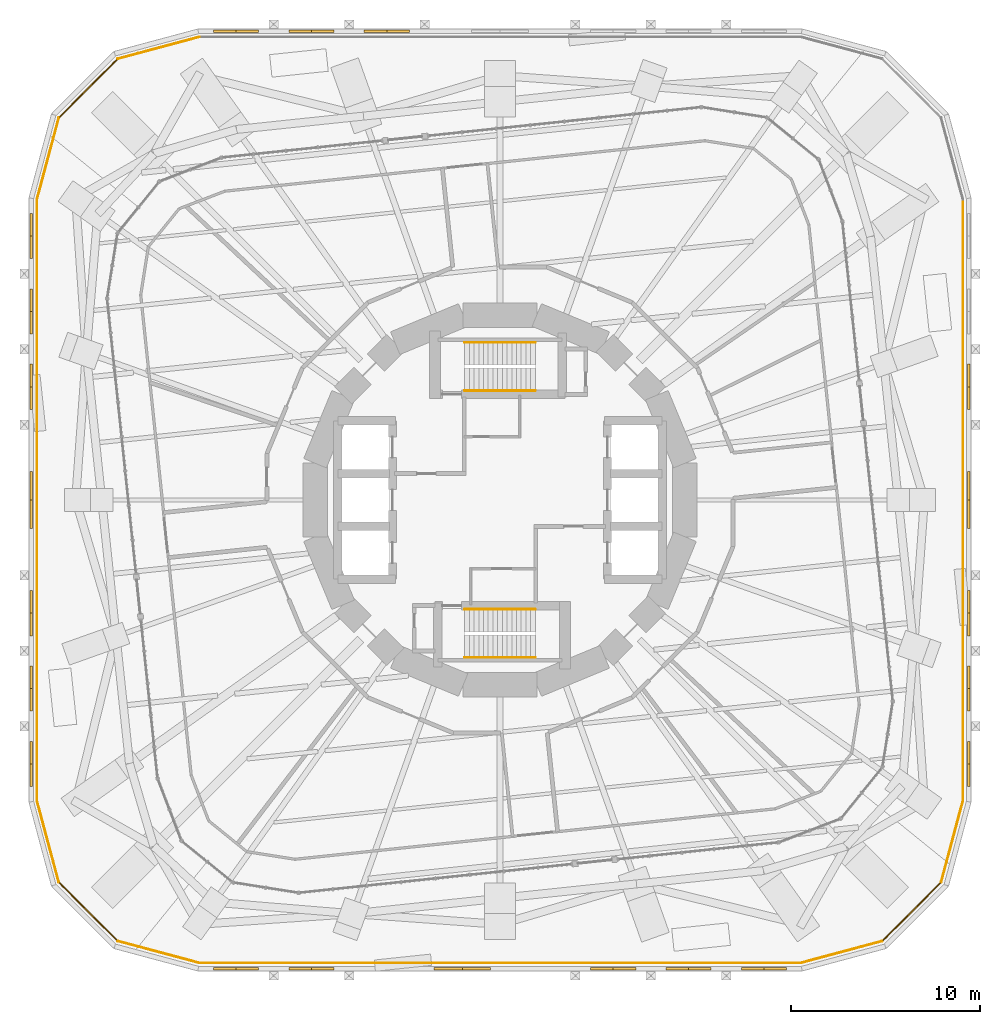
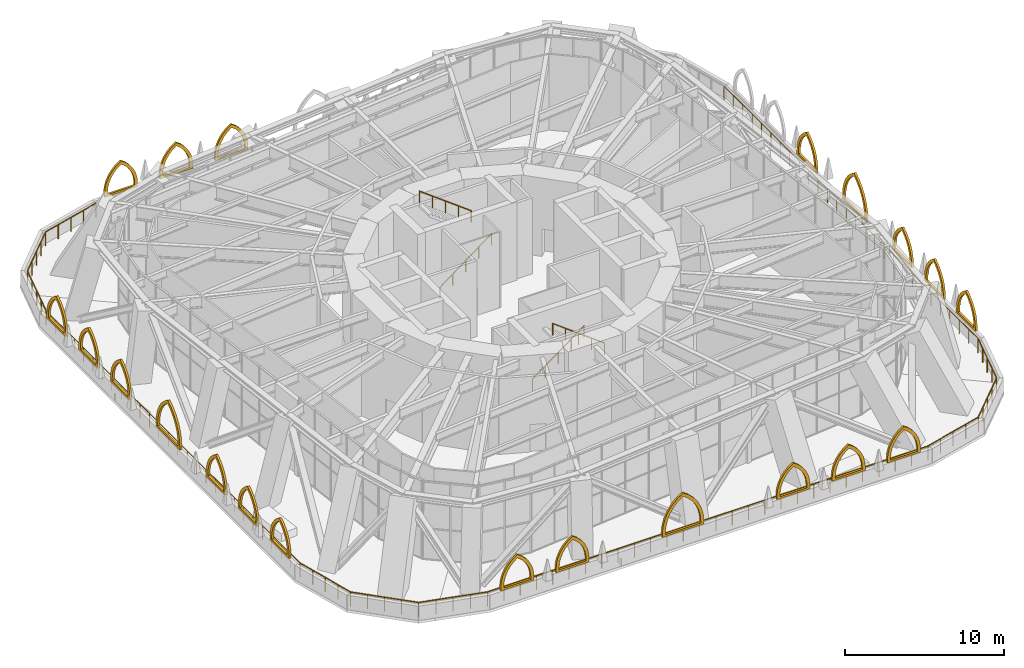
# One storey, part 18 of 20: 21 shading devices, 16 railings.
"""IFC4 building model written with IfcOpenShell, lengths in metres."""

from ifc_helpers import new_model, si_unit, direction, frame, origin, origin_2d, place, context, subcontext, project, spatial, polyline, circle, outline, extrude, material, type_object, element, save


model = new_model("IFC4")

# Units and contexts
model_context = context("Model", 3, precision=1e-05, world=origin(), true_north=direction((0.0, 1.0)))
body_context = subcontext(model_context, "Body", "Model", "MODEL_VIEW")
ifc_project = project(units=[si_unit("LENGTHUNIT", "METRE"), si_unit("AREAUNIT", "SQUARE_METRE"), si_unit("VOLUMEUNIT", "CUBIC_METRE"), si_unit("PLANEANGLEUNIT", "RADIAN"), si_unit("MASSUNIT", "GRAM", prefix="KILO")], contexts=[model_context])

# Site, building, storey
site_placement = place(None, origin())
site = spatial("IfcSite", under=ifc_project, at=site_placement, CompositionType="ELEMENT")
building_placement = place(site_placement, origin())
building = spatial("IfcBuilding", under=site, at=building_placement, Name="Nakasero Lantern House", CompositionType="ELEMENT")
storey_placement = place(building_placement, frame((0.0, 0.0, 54.5)))
storey = spatial("IfcBuildingStorey", under=building, at=storey_placement, Name="L13", CompositionType="ELEMENT", Elevation=54.5)

# Shading devices
ifc_material_1 = material(Name="Aluminium 6063-T6", Category="aluminium")
shading_device_type_1 = type_object("IfcShadingDeviceType", Name="Lancet screen 2400", PredefinedType="USERDEFINED", material=ifc_material_1)
for number, where, z_axis, x_axis, name in (
    (1, (24.85009765625, -14.0, 1.10009765625), (0.0, 0.0, 1.0), (0.0, 1.0, 0.0), "Tracery screen L13 0-00"),
    (2, (24.85009765625, -10.0, 1.10009765625), (0.0, 0.0, 1.0), (0.0, 1.0, 0.0), "Tracery screen L13 0-01"),
    (3, (24.85009765625, -6.0, 1.10009765625), (0.0, 0.0, 1.0), (0.0, 1.0, 0.0), "Tracery screen L13 0-02"),
    (4, (24.85009765625, 6.0, 1.10009765625), (0.0, 0.0, 1.0), (0.0, 1.0, 0.0), "Tracery screen L13 0-04"),
    (5, (-6.0, 24.85009765625, 1.10009765625), (0.0, 0.0, 1.0), (-1.0, 0.0, 0.0), "Tracery screen L13 1-04"),
    (6, (-10.0, 24.85009765625, 1.10009765625), (0.0, 0.0, 1.0), (-1.0, 0.0, 0.0), "Tracery screen L13 1-05"),
    (7, (-14.0, 24.85009765625, 1.10009765625), (0.0, 0.0, 1.0), (-1.0, 0.0, 0.0), "Tracery screen L13 1-06"),
    (8, (-24.85009765625, 14.0, 1.10009765625), (0.0, 0.0, 1.0), (0.0, -1.0, 0.0), "Tracery screen L13 2-00"),
    (9, (-24.85009765625, 10.0, 1.10009765625), (0.0, 0.0, 1.0), (0.0, -1.0, 0.0), "Tracery screen L13 2-01"),
    (10, (-24.85009765625, 6.0, 1.10009765625), (0.0, 0.0, 1.0), (0.0, -1.0, 0.0), "Tracery screen L13 2-02"),
    (11, (-24.85009765625, -6.0, 1.10009765625), (0.0, 0.0, 1.0), (0.0, -1.0, 0.0), "Tracery screen L13 2-04"),
    (12, (-24.85009765625, -10.0, 1.10009765625), (0.0, 0.0, 1.0), (0.0, -1.0, 0.0), "Tracery screen L13 2-05"),
    (13, (-24.85009765625, -14.0, 1.10009765625), (0.0, 0.0, 1.0), (0.0, -1.0, 0.0), "Tracery screen L13 2-06"),
    (14, (-14.0, -24.85009765625, 1.10009765625), (0.0, 0.0, 1.0), (1.0, 0.0, 0.0), "Tracery screen L13 3-00"),
    (15, (-10.0, -24.85009765625, 1.10009765625), (0.0, 0.0, 1.0), (1.0, 0.0, 0.0), "Tracery screen L13 3-01"),
    (16, (6.0, -24.85009765625, 1.10009765625), (0.0, 0.0, 1.0), (1.0, 0.0, 0.0), "Tracery screen L13 3-03"),
    (17, (10.0, -24.85009765625, 1.10009765625), (0.0, 0.0, 1.0), (1.0, 0.0, 0.0), "Tracery screen L13 3-04"),
    (18, (14.0, -24.85009765625, 1.10009765625), (0.0, 0.0, 1.0), (1.0, 0.0, 0.0), "Tracery screen L13 3-05"),
):
    element("IfcShadingDevice", number, at=place(storey_placement, frame(where, z_axis=z_axis, x_axis=x_axis)), inside=storey, type_object=shading_device_type_1, Name=name, ObjectType="LANCET SCREEN", PredefinedType="USERDEFINED", context=body_context, shape_type="SweptSolid", body=[
        extrude(outline(polyline([(-1.199951171875, 0.0), (1.199951171875, 0.0), (1.199951171875, 0.300048828125), (1.16357421875, 0.716796875), (1.05517578125, 1.120849609375), (0.87841796875, 1.5), (0.638427734375, 1.8427734375), (0.3427734375, 2.138427734375), (0.0, 2.37841796875), (-0.3427734375, 2.138427734375), (-0.638427734375, 1.8427734375), (-0.87841796875, 1.5), (-1.05517578125, 1.120849609375), (-1.16357421875, 0.716796875), (-1.199951171875, 0.300048828125), (-1.199951171875, 0.0)]), holes=[polyline([(-0.97998046875, 0.14990234375), (0.97998046875, 0.14990234375), (0.97998046875, 0.300048828125), (0.950439453125, 0.6572265625), (0.86279296875, 1.0048828125), (0.719482421875, 1.33349609375), (0.524169921875, 1.63427734375), (0.281982421875, 1.898681640625), (0.0, 2.1201171875), (-0.281982421875, 1.898681640625), (-0.524169921875, 1.63427734375), (-0.719482421875, 1.33349609375), (-0.86279296875, 1.0048828125), (-0.950439453125, 0.6572265625), (-0.97998046875, 0.300048828125), (-0.97998046875, 0.14990234375)])]), frame((0.0, 0.074951171875, 0.0), z_axis=(0.0, -1.0, 0.0), x_axis=(1.0, 0.0, 0.0)), (0.0, 0.0, 1.0), 0.14990234375),
    ])
ifc_material_2 = material(Name="Aluminium 6063-T6", Category="aluminium")
shading_device_type_2 = type_object("IfcShadingDeviceType", Name="Lancet screen 3000", PredefinedType="USERDEFINED", material=ifc_material_2)
for number, where, z_axis, x_axis, name in (
    (19, (24.85009765625, 0.0, 1.10009765625), (0.0, 0.0, 1.0), (0.0, 1.0, 0.0), "Tracery screen L13 0-03"),
    (20, (-24.85009765625, 0.0, 1.10009765625), (0.0, 0.0, 1.0), (0.0, -1.0, 0.0), "Tracery screen L13 2-03"),
    (21, (-2.0, -24.85009765625, 1.10009765625), (0.0, 0.0, 1.0), (1.0, 0.0, 0.0), "Tracery screen L13 3-02"),
):
    element("IfcShadingDevice", number, at=place(storey_placement, frame(where, z_axis=z_axis, x_axis=x_axis)), inside=storey, type_object=shading_device_type_2, Name=name, ObjectType="LANCET SCREEN", PredefinedType="USERDEFINED", context=body_context, shape_type="SweptSolid", body=[
        extrude(outline(polyline([(-1.5, 0.0), (1.5, 0.0), (1.5, 0.300048828125), (1.454345703125, 0.821044921875), (1.319091796875, 1.326171875), (1.09814453125, 1.800048828125), (0.798095703125, 2.228271484375), (0.428466796875, 2.59814453125), (0.0, 2.898193359375), (-0.428466796875, 2.59814453125), (-0.798095703125, 2.228271484375), (-1.09814453125, 1.800048828125), (-1.319091796875, 1.326171875), (-1.454345703125, 0.821044921875), (-1.5, 0.300048828125), (-1.5, 0.0)]), holes=[polyline([(-1.280029296875, 0.14990234375), (1.280029296875, 0.14990234375), (1.280029296875, 0.300048828125), (1.241455078125, 0.761474609375), (1.126708984375, 1.21044921875), (0.939208984375, 1.6337890625), (0.683837890625, 2.020263671875), (0.367919921875, 2.359130859375), (0.0, 2.640625), (-0.367919921875, 2.359130859375), (-0.683837890625, 2.020263671875), (-0.939208984375, 1.6337890625), (-1.126708984375, 1.21044921875), (-1.241455078125, 0.761474609375), (-1.280029296875, 0.300048828125), (-1.280029296875, 0.14990234375)])]), frame((0.0, 0.074951171875, 0.0), z_axis=(0.0, -1.0, 0.0), x_axis=(1.0, 0.0, 0.0)), (0.0, 0.0, 1.0), 0.14990234375),
    ])

# Railings
ifc_material_3 = material(Name="Aluminium 6063-T6", Category="aluminium")
railing_type_1 = type_object("IfcRailingType", Name="Sky garden guard 1100", PredefinedType="GUARDRAIL", material=ifc_material_3)
railing_1_placement = place(storey_placement, frame((-24.550048828125, -15.940673828125, 0.0)))
element("IfcRailing", 22, at=railing_1_placement, inside=storey, type_object=railing_type_1, Name="Sky garden guard L13 1", PredefinedType="GUARDRAIL", context=body_context, shape_type="SweptSolid", body=[
    extrude(circle(Radius=0.02392578125, at=origin_2d()), frame((0.0, 0.0, 1.076171875), z_axis=(0.0, 1.0, 0.0), x_axis=(-1.0, 0.0, 0.0)), (0.0, 0.0, 1.0), 31.88134765625),
    extrude(circle(Radius=0.02099609375, at=origin_2d()), origin(), (0.0, 0.0, 1.0), 1.052001953125),
    extrude(circle(Radius=0.02099609375, at=origin_2d()), frame((0.0, 1.180908203125, 0.0)), (0.0, 0.0, 1.0), 1.052001953125),
    extrude(circle(Radius=0.02099609375, at=origin_2d()), frame((0.0, 2.361572265625, 0.0)), (0.0, 0.0, 1.0), 1.052001953125),
    extrude(circle(Radius=0.02099609375, at=origin_2d()), frame((0.0, 3.54248046875, 0.0)), (0.0, 0.0, 1.0), 1.052001953125),
    extrude(circle(Radius=0.02099609375, at=origin_2d()), frame((0.0, 4.72314453125, 0.0)), (0.0, 0.0, 1.0), 1.052001953125),
    extrude(circle(Radius=0.02099609375, at=origin_2d()), frame((0.0, 5.904052734375, 0.0)), (0.0, 0.0, 1.0), 1.052001953125),
    extrude(circle(Radius=0.02099609375, at=origin_2d()), frame((0.0, 7.084716796875, 0.0)), (0.0, 0.0, 1.0), 1.052001953125),
    extrude(circle(Radius=0.02099609375, at=origin_2d()), frame((0.0, 8.265625, 0.0)), (0.0, 0.0, 1.0), 1.052001953125),
    extrude(circle(Radius=0.02099609375, at=origin_2d()), frame((0.0, 9.4462890625, 0.0)), (0.0, 0.0, 1.0), 1.052001953125),
    extrude(circle(Radius=0.02099609375, at=origin_2d()), frame((0.0, 10.627197265625, 0.0)), (0.0, 0.0, 1.0), 1.052001953125),
    extrude(circle(Radius=0.02099609375, at=origin_2d()), frame((0.0, 11.807861328125, 0.0)), (0.0, 0.0, 1.0), 1.052001953125),
    extrude(circle(Radius=0.02099609375, at=origin_2d()), frame((0.0, 12.98876953125, 0.0)), (0.0, 0.0, 1.0), 1.052001953125),
    extrude(circle(Radius=0.02099609375, at=origin_2d()), frame((0.0, 14.16943359375, 0.0)), (0.0, 0.0, 1.0), 1.052001953125),
    extrude(circle(Radius=0.02099609375, at=origin_2d()), frame((0.0, 15.350341796875, 0.0)), (0.0, 0.0, 1.0), 1.052001953125),
    extrude(circle(Radius=0.02099609375, at=origin_2d()), frame((0.0, 16.531005859375, 0.0)), (0.0, 0.0, 1.0), 1.052001953125),
    extrude(circle(Radius=0.02099609375, at=origin_2d()), frame((0.0, 17.7119140625, 0.0)), (0.0, 0.0, 1.0), 1.052001953125),
    extrude(circle(Radius=0.02099609375, at=origin_2d()), frame((0.0, 18.892578125, 0.0)), (0.0, 0.0, 1.0), 1.052001953125),
    extrude(circle(Radius=0.02099609375, at=origin_2d()), frame((0.0, 20.073486328125, 0.0)), (0.0, 0.0, 1.0), 1.052001953125),
    extrude(circle(Radius=0.02099609375, at=origin_2d()), frame((0.0, 21.254150390625, 0.0)), (0.0, 0.0, 1.0), 1.052001953125),
    extrude(circle(Radius=0.02099609375, at=origin_2d()), frame((0.0, 22.43505859375, 0.0)), (0.0, 0.0, 1.0), 1.052001953125),
    extrude(circle(Radius=0.02099609375, at=origin_2d()), frame((0.0, 23.61572265625, 0.0)), (0.0, 0.0, 1.0), 1.052001953125),
    extrude(circle(Radius=0.02099609375, at=origin_2d()), frame((0.0, 24.796630859375, 0.0)), (0.0, 0.0, 1.0), 1.052001953125),
    extrude(circle(Radius=0.02099609375, at=origin_2d()), frame((0.0, 25.977294921875, 0.0)), (0.0, 0.0, 1.0), 1.052001953125),
    extrude(circle(Radius=0.02099609375, at=origin_2d()), frame((0.0, 27.158203125, 0.0)), (0.0, 0.0, 1.0), 1.052001953125),
    extrude(circle(Radius=0.02099609375, at=origin_2d()), frame((0.0, 28.3388671875, 0.0)), (0.0, 0.0, 1.0), 1.052001953125),
    extrude(circle(Radius=0.02099609375, at=origin_2d()), frame((0.0, 29.519775390625, 0.0)), (0.0, 0.0, 1.0), 1.052001953125),
    extrude(circle(Radius=0.02099609375, at=origin_2d()), frame((0.0, 30.700439453125, 0.0)), (0.0, 0.0, 1.0), 1.052001953125),
    extrude(circle(Radius=0.02099609375, at=origin_2d()), frame((0.0, 31.88134765625, 0.0)), (0.0, 0.0, 1.0), 1.052001953125),
])
railing_2_placement = place(storey_placement, frame((-24.550048828125, 15.940673828125, 0.0)))
element("IfcRailing", 23, at=railing_2_placement, inside=storey, type_object=railing_type_1, Name="Sky garden guard L13 2", PredefinedType="GUARDRAIL", context=body_context, shape_type="SweptSolid", body=[
    extrude(circle(Radius=0.02392578125, at=origin_2d()), frame((0.0, 0.0, 1.076171875), z_axis=(0.258802382539, 0.965930290855, 0.0), x_axis=(-0.965930290855, 0.258802382539, 0.0)), (0.0, 0.0, 1.0), 4.47900390625),
    extrude(circle(Radius=0.02099609375, at=origin_2d()), origin(), (0.0, 0.0, 1.0), 1.052001953125),
    extrude(circle(Radius=0.02099609375, at=origin_2d()), frame((0.289794921875, 1.08154296875, 0.0)), (0.0, 0.0, 1.0), 1.052001953125),
    extrude(circle(Radius=0.02099609375, at=origin_2d()), frame((0.57958984375, 2.1630859375, 0.0)), (0.0, 0.0, 1.0), 1.052001953125),
    extrude(circle(Radius=0.02099609375, at=origin_2d()), frame((0.869384765625, 3.244873046875, 0.0)), (0.0, 0.0, 1.0), 1.052001953125),
    extrude(circle(Radius=0.02099609375, at=origin_2d()), frame((1.1591796875, 4.326416015625, 0.0)), (0.0, 0.0, 1.0), 1.052001953125),
])
railing_3_placement = place(storey_placement, frame((-23.390869140625, -20.26708984375, 0.0)))
element("IfcRailing", 24, at=railing_3_placement, inside=storey, type_object=railing_type_1, Name="Sky garden guard L13 3", PredefinedType="GUARDRAIL", context=body_context, shape_type="SweptSolid", body=[
    extrude(circle(Radius=0.02392578125, at=origin_2d()), frame((0.0, 0.0, 1.076171875), z_axis=(-0.258802382539, 0.965930290855, 0.0), x_axis=(-0.965930290855, -0.258802382539, 0.0)), (0.0, 0.0, 1.0), 4.47900390625),
    extrude(circle(Radius=0.02099609375, at=origin_2d()), origin(), (0.0, 0.0, 1.0), 1.052001953125),
    extrude(circle(Radius=0.02099609375, at=origin_2d()), frame((-0.289794921875, 1.08154296875, 0.0)), (0.0, 0.0, 1.0), 1.052001953125),
    extrude(circle(Radius=0.02099609375, at=origin_2d()), frame((-0.57958984375, 2.1630859375, 0.0)), (0.0, 0.0, 1.0), 1.052001953125),
    extrude(circle(Radius=0.02099609375, at=origin_2d()), frame((-0.869384765625, 3.244873046875, 0.0)), (0.0, 0.0, 1.0), 1.052001953125),
    extrude(circle(Radius=0.02099609375, at=origin_2d()), frame((-1.1591796875, 4.326416015625, 0.0)), (0.0, 0.0, 1.0), 1.052001953125),
])
railing_4_placement = place(storey_placement, frame((-23.390869140625, 20.26708984375, 0.0)))
element("IfcRailing", 25, at=railing_4_placement, inside=storey, type_object=railing_type_1, Name="Sky garden guard L13 4", PredefinedType="GUARDRAIL", context=body_context, shape_type="SweptSolid", body=[
    extrude(circle(Radius=0.02392578125, at=origin_2d()), frame((0.0, 0.0, 1.076171875), z_axis=(0.707106781187, 0.707106781187, 0.0), x_axis=(-0.707106781187, 0.707106781187, 0.0)), (0.0, 0.0, 1.0), 4.417724609375),
    extrude(circle(Radius=0.02099609375, at=origin_2d()), origin(), (0.0, 0.0, 1.0), 1.052001953125),
    extrude(circle(Radius=0.02099609375, at=origin_2d()), frame((0.781005859375, 0.781005859375, 0.0)), (0.0, 0.0, 1.0), 1.052001953125),
    extrude(circle(Radius=0.02099609375, at=origin_2d()), frame((1.56201171875, 1.56201171875, 0.0)), (0.0, 0.0, 1.0), 1.052001953125),
    extrude(circle(Radius=0.02099609375, at=origin_2d()), frame((2.3427734375, 2.3427734375, 0.0)), (0.0, 0.0, 1.0), 1.052001953125),
    extrude(circle(Radius=0.02099609375, at=origin_2d()), frame((3.123779296875, 3.123779296875, 0.0)), (0.0, 0.0, 1.0), 1.052001953125),
])
railing_5_placement = place(storey_placement, frame((-20.26708984375, -23.390869140625, 0.0)))
element("IfcRailing", 26, at=railing_5_placement, inside=storey, type_object=railing_type_1, Name="Sky garden guard L13 5", PredefinedType="GUARDRAIL", context=body_context, shape_type="SweptSolid", body=[
    extrude(circle(Radius=0.02392578125, at=origin_2d()), frame((0.0, 0.0, 1.076171875), z_axis=(-0.707106781187, 0.707106781187, 0.0), x_axis=(-0.707106781187, -0.707106781187, 0.0)), (0.0, 0.0, 1.0), 4.417724609375),
    extrude(circle(Radius=0.02099609375, at=origin_2d()), origin(), (0.0, 0.0, 1.0), 1.052001953125),
    extrude(circle(Radius=0.02099609375, at=origin_2d()), frame((-0.781005859375, 0.781005859375, 0.0)), (0.0, 0.0, 1.0), 1.052001953125),
    extrude(circle(Radius=0.02099609375, at=origin_2d()), frame((-1.56201171875, 1.56201171875, 0.0)), (0.0, 0.0, 1.0), 1.052001953125),
    extrude(circle(Radius=0.02099609375, at=origin_2d()), frame((-2.3427734375, 2.3427734375, 0.0)), (0.0, 0.0, 1.0), 1.052001953125),
    extrude(circle(Radius=0.02099609375, at=origin_2d()), frame((-3.123779296875, 3.123779296875, 0.0)), (0.0, 0.0, 1.0), 1.052001953125),
])
railing_6_placement = place(storey_placement, frame((-20.26708984375, 23.390869140625, 0.0)))
element("IfcRailing", 27, at=railing_6_placement, inside=storey, type_object=railing_type_1, Name="Sky garden guard L13 6", PredefinedType="GUARDRAIL", context=body_context, shape_type="SweptSolid", body=[
    extrude(circle(Radius=0.02392578125, at=origin_2d()), frame((0.0, 0.0, 1.076171875), z_axis=(0.965930290855, 0.258802382539, 0.0), x_axis=(-0.258802382539, 0.965930290855, 0.0)), (0.0, 0.0, 1.0), 4.47900390625),
    extrude(circle(Radius=0.02099609375, at=origin_2d()), origin(), (0.0, 0.0, 1.0), 1.052001953125),
    extrude(circle(Radius=0.02099609375, at=origin_2d()), frame((1.08154296875, 0.289794921875, 0.0)), (0.0, 0.0, 1.0), 1.052001953125),
    extrude(circle(Radius=0.02099609375, at=origin_2d()), frame((2.1630859375, 0.57958984375, 0.0)), (0.0, 0.0, 1.0), 1.052001953125),
    extrude(circle(Radius=0.02099609375, at=origin_2d()), frame((3.244873046875, 0.869384765625, 0.0)), (0.0, 0.0, 1.0), 1.052001953125),
    extrude(circle(Radius=0.02099609375, at=origin_2d()), frame((4.326416015625, 1.1591796875, 0.0)), (0.0, 0.0, 1.0), 1.052001953125),
])
railing_7_placement = place(storey_placement, frame((-15.940673828125, -24.550048828125, 0.0)))
element("IfcRailing", 28, at=railing_7_placement, inside=storey, type_object=railing_type_1, Name="Sky garden guard L13 7", PredefinedType="GUARDRAIL", context=body_context, shape_type="SweptSolid", body=[
    extrude(circle(Radius=0.02392578125, at=origin_2d()), frame((0.0, 0.0, 1.076171875), z_axis=(-0.965930290855, 0.258802382539, 0.0), x_axis=(-0.258802382539, -0.965930290855, 0.0)), (0.0, 0.0, 1.0), 4.47900390625),
    extrude(circle(Radius=0.02099609375, at=origin_2d()), origin(), (0.0, 0.0, 1.0), 1.052001953125),
    extrude(circle(Radius=0.02099609375, at=origin_2d()), frame((-1.08154296875, 0.289794921875, 0.0)), (0.0, 0.0, 1.0), 1.052001953125),
    extrude(circle(Radius=0.02099609375, at=origin_2d()), frame((-2.1630859375, 0.57958984375, 0.0)), (0.0, 0.0, 1.0), 1.052001953125),
    extrude(circle(Radius=0.02099609375, at=origin_2d()), frame((-3.244873046875, 0.869384765625, 0.0)), (0.0, 0.0, 1.0), 1.052001953125),
    extrude(circle(Radius=0.02099609375, at=origin_2d()), frame((-4.326416015625, 1.1591796875, 0.0)), (0.0, 0.0, 1.0), 1.052001953125),
])
railing_8_placement = place(storey_placement, frame((15.940673828125, -24.550048828125, 0.0)))
element("IfcRailing", 29, at=railing_8_placement, inside=storey, type_object=railing_type_1, Name="Sky garden guard L13 9", PredefinedType="GUARDRAIL", context=body_context, shape_type="SweptSolid", body=[
    extrude(circle(Radius=0.02392578125, at=origin_2d()), frame((0.0, 0.0, 1.076171875), z_axis=(-1.0, 0.0, 0.0), x_axis=(0.0, -1.0, 0.0)), (0.0, 0.0, 1.0), 31.88134765625),
    extrude(circle(Radius=0.02099609375, at=origin_2d()), origin(), (0.0, 0.0, 1.0), 1.052001953125),
    extrude(circle(Radius=0.02099609375, at=origin_2d()), frame((-1.180908203125, 0.0, 0.0)), (0.0, 0.0, 1.0), 1.052001953125),
    extrude(circle(Radius=0.02099609375, at=origin_2d()), frame((-2.361572265625, 0.0, 0.0)), (0.0, 0.0, 1.0), 1.052001953125),
    extrude(circle(Radius=0.02099609375, at=origin_2d()), frame((-3.54248046875, 0.0, 0.0)), (0.0, 0.0, 1.0), 1.052001953125),
    extrude(circle(Radius=0.02099609375, at=origin_2d()), frame((-4.72314453125, 0.0, 0.0)), (0.0, 0.0, 1.0), 1.052001953125),
    extrude(circle(Radius=0.02099609375, at=origin_2d()), frame((-5.904052734375, 0.0, 0.0)), (0.0, 0.0, 1.0), 1.052001953125),
    extrude(circle(Radius=0.02099609375, at=origin_2d()), frame((-7.084716796875, 0.0, 0.0)), (0.0, 0.0, 1.0), 1.052001953125),
    extrude(circle(Radius=0.02099609375, at=origin_2d()), frame((-8.265625, 0.0, 0.0)), (0.0, 0.0, 1.0), 1.052001953125),
    extrude(circle(Radius=0.02099609375, at=origin_2d()), frame((-9.4462890625, 0.0, 0.0)), (0.0, 0.0, 1.0), 1.052001953125),
    extrude(circle(Radius=0.02099609375, at=origin_2d()), frame((-10.627197265625, 0.0, 0.0)), (0.0, 0.0, 1.0), 1.052001953125),
    extrude(circle(Radius=0.02099609375, at=origin_2d()), frame((-11.807861328125, 0.0, 0.0)), (0.0, 0.0, 1.0), 1.052001953125),
    extrude(circle(Radius=0.02099609375, at=origin_2d()), frame((-12.98876953125, 0.0, 0.0)), (0.0, 0.0, 1.0), 1.052001953125),
    extrude(circle(Radius=0.02099609375, at=origin_2d()), frame((-14.16943359375, 0.0, 0.0)), (0.0, 0.0, 1.0), 1.052001953125),
    extrude(circle(Radius=0.02099609375, at=origin_2d()), frame((-15.350341796875, 0.0, 0.0)), (0.0, 0.0, 1.0), 1.052001953125),
    extrude(circle(Radius=0.02099609375, at=origin_2d()), frame((-16.531005859375, 0.0, 0.0)), (0.0, 0.0, 1.0), 1.052001953125),
    extrude(circle(Radius=0.02099609375, at=origin_2d()), frame((-17.7119140625, 0.0, 0.0)), (0.0, 0.0, 1.0), 1.052001953125),
    extrude(circle(Radius=0.02099609375, at=origin_2d()), frame((-18.892578125, 0.0, 0.0)), (0.0, 0.0, 1.0), 1.052001953125),
    extrude(circle(Radius=0.02099609375, at=origin_2d()), frame((-20.073486328125, 0.0, 0.0)), (0.0, 0.0, 1.0), 1.052001953125),
    extrude(circle(Radius=0.02099609375, at=origin_2d()), frame((-21.254150390625, 0.0, 0.0)), (0.0, 0.0, 1.0), 1.052001953125),
    extrude(circle(Radius=0.02099609375, at=origin_2d()), frame((-22.43505859375, 0.0, 0.0)), (0.0, 0.0, 1.0), 1.052001953125),
    extrude(circle(Radius=0.02099609375, at=origin_2d()), frame((-23.61572265625, 0.0, 0.0)), (0.0, 0.0, 1.0), 1.052001953125),
    extrude(circle(Radius=0.02099609375, at=origin_2d()), frame((-24.796630859375, 0.0, 0.0)), (0.0, 0.0, 1.0), 1.052001953125),
    extrude(circle(Radius=0.02099609375, at=origin_2d()), frame((-25.977294921875, 0.0, 0.0)), (0.0, 0.0, 1.0), 1.052001953125),
    extrude(circle(Radius=0.02099609375, at=origin_2d()), frame((-27.158203125, 0.0, 0.0)), (0.0, 0.0, 1.0), 1.052001953125),
    extrude(circle(Radius=0.02099609375, at=origin_2d()), frame((-28.3388671875, 0.0, 0.0)), (0.0, 0.0, 1.0), 1.052001953125),
    extrude(circle(Radius=0.02099609375, at=origin_2d()), frame((-29.519775390625, 0.0, 0.0)), (0.0, 0.0, 1.0), 1.052001953125),
    extrude(circle(Radius=0.02099609375, at=origin_2d()), frame((-30.700439453125, 0.0, 0.0)), (0.0, 0.0, 1.0), 1.052001953125),
    extrude(circle(Radius=0.02099609375, at=origin_2d()), frame((-31.88134765625, 0.0, 0.0)), (0.0, 0.0, 1.0), 1.052001953125),
])
railing_9_placement = place(storey_placement, frame((20.26708984375, -23.390869140625, 0.0)))
element("IfcRailing", 30, at=railing_9_placement, inside=storey, type_object=railing_type_1, Name="Sky garden guard L13 11", PredefinedType="GUARDRAIL", context=body_context, shape_type="SweptSolid", body=[
    extrude(circle(Radius=0.02392578125, at=origin_2d()), frame((0.0, 0.0, 1.076171875), z_axis=(-0.965930290855, -0.258802382539, 0.0), x_axis=(0.258802382539, -0.965930290855, 0.0)), (0.0, 0.0, 1.0), 4.47900390625),
    extrude(circle(Radius=0.02099609375, at=origin_2d()), origin(), (0.0, 0.0, 1.0), 1.052001953125),
    extrude(circle(Radius=0.02099609375, at=origin_2d()), frame((-1.08154296875, -0.289794921875, 0.0)), (0.0, 0.0, 1.0), 1.052001953125),
    extrude(circle(Radius=0.02099609375, at=origin_2d()), frame((-2.1630859375, -0.57958984375, 0.0)), (0.0, 0.0, 1.0), 1.052001953125),
    extrude(circle(Radius=0.02099609375, at=origin_2d()), frame((-3.244873046875, -0.869384765625, 0.0)), (0.0, 0.0, 1.0), 1.052001953125),
    extrude(circle(Radius=0.02099609375, at=origin_2d()), frame((-4.326416015625, -1.1591796875, 0.0)), (0.0, 0.0, 1.0), 1.052001953125),
])
railing_10_placement = place(storey_placement, frame((23.390869140625, -20.26708984375, 0.0)))
element("IfcRailing", 31, at=railing_10_placement, inside=storey, type_object=railing_type_1, Name="Sky garden guard L13 13", PredefinedType="GUARDRAIL", context=body_context, shape_type="SweptSolid", body=[
    extrude(circle(Radius=0.02392578125, at=origin_2d()), frame((0.0, 0.0, 1.076171875), z_axis=(-0.707106781187, -0.707106781187, 0.0), x_axis=(0.707106781187, -0.707106781187, 0.0)), (0.0, 0.0, 1.0), 4.417724609375),
    extrude(circle(Radius=0.02099609375, at=origin_2d()), origin(), (0.0, 0.0, 1.0), 1.052001953125),
    extrude(circle(Radius=0.02099609375, at=origin_2d()), frame((-0.781005859375, -0.781005859375, 0.0)), (0.0, 0.0, 1.0), 1.052001953125),
    extrude(circle(Radius=0.02099609375, at=origin_2d()), frame((-1.56201171875, -1.56201171875, 0.0)), (0.0, 0.0, 1.0), 1.052001953125),
    extrude(circle(Radius=0.02099609375, at=origin_2d()), frame((-2.3427734375, -2.3427734375, 0.0)), (0.0, 0.0, 1.0), 1.052001953125),
    extrude(circle(Radius=0.02099609375, at=origin_2d()), frame((-3.123779296875, -3.123779296875, 0.0)), (0.0, 0.0, 1.0), 1.052001953125),
])
railing_11_placement = place(storey_placement, frame((24.550048828125, -15.940673828125, 0.0)))
element("IfcRailing", 32, at=railing_11_placement, inside=storey, type_object=railing_type_1, Name="Sky garden guard L13 15", PredefinedType="GUARDRAIL", context=body_context, shape_type="SweptSolid", body=[
    extrude(circle(Radius=0.02392578125, at=origin_2d()), frame((0.0, 0.0, 1.076171875), z_axis=(-0.258802382539, -0.965930290855, 0.0), x_axis=(0.965930290855, -0.258802382539, 0.0)), (0.0, 0.0, 1.0), 4.47900390625),
    extrude(circle(Radius=0.02099609375, at=origin_2d()), origin(), (0.0, 0.0, 1.0), 1.052001953125),
    extrude(circle(Radius=0.02099609375, at=origin_2d()), frame((-0.289794921875, -1.08154296875, 0.0)), (0.0, 0.0, 1.0), 1.052001953125),
    extrude(circle(Radius=0.02099609375, at=origin_2d()), frame((-0.57958984375, -2.1630859375, 0.0)), (0.0, 0.0, 1.0), 1.052001953125),
    extrude(circle(Radius=0.02099609375, at=origin_2d()), frame((-0.869384765625, -3.244873046875, 0.0)), (0.0, 0.0, 1.0), 1.052001953125),
    extrude(circle(Radius=0.02099609375, at=origin_2d()), frame((-1.1591796875, -4.326416015625, 0.0)), (0.0, 0.0, 1.0), 1.052001953125),
])
railing_12_placement = place(storey_placement, frame((24.550048828125, 15.940673828125, 0.0)))
element("IfcRailing", 33, at=railing_12_placement, inside=storey, type_object=railing_type_1, Name="Sky garden guard L13 16", PredefinedType="GUARDRAIL", context=body_context, shape_type="SweptSolid", body=[
    extrude(circle(Radius=0.02392578125, at=origin_2d()), frame((0.0, 0.0, 1.076171875), z_axis=(0.0, -1.0, 0.0), x_axis=(1.0, 0.0, 0.0)), (0.0, 0.0, 1.0), 31.88134765625),
    extrude(circle(Radius=0.02099609375, at=origin_2d()), origin(), (0.0, 0.0, 1.0), 1.052001953125),
    extrude(circle(Radius=0.02099609375, at=origin_2d()), frame((0.0, -1.180908203125, 0.0)), (0.0, 0.0, 1.0), 1.052001953125),
    extrude(circle(Radius=0.02099609375, at=origin_2d()), frame((0.0, -2.361572265625, 0.0)), (0.0, 0.0, 1.0), 1.052001953125),
    extrude(circle(Radius=0.02099609375, at=origin_2d()), frame((0.0, -3.54248046875, 0.0)), (0.0, 0.0, 1.0), 1.052001953125),
    extrude(circle(Radius=0.02099609375, at=origin_2d()), frame((0.0, -4.72314453125, 0.0)), (0.0, 0.0, 1.0), 1.052001953125),
    extrude(circle(Radius=0.02099609375, at=origin_2d()), frame((0.0, -5.904052734375, 0.0)), (0.0, 0.0, 1.0), 1.052001953125),
    extrude(circle(Radius=0.02099609375, at=origin_2d()), frame((0.0, -7.084716796875, 0.0)), (0.0, 0.0, 1.0), 1.052001953125),
    extrude(circle(Radius=0.02099609375, at=origin_2d()), frame((0.0, -8.265625, 0.0)), (0.0, 0.0, 1.0), 1.052001953125),
    extrude(circle(Radius=0.02099609375, at=origin_2d()), frame((0.0, -9.4462890625, 0.0)), (0.0, 0.0, 1.0), 1.052001953125),
    extrude(circle(Radius=0.02099609375, at=origin_2d()), frame((0.0, -10.627197265625, 0.0)), (0.0, 0.0, 1.0), 1.052001953125),
    extrude(circle(Radius=0.02099609375, at=origin_2d()), frame((0.0, -11.807861328125, 0.0)), (0.0, 0.0, 1.0), 1.052001953125),
    extrude(circle(Radius=0.02099609375, at=origin_2d()), frame((0.0, -12.98876953125, 0.0)), (0.0, 0.0, 1.0), 1.052001953125),
    extrude(circle(Radius=0.02099609375, at=origin_2d()), frame((0.0, -14.16943359375, 0.0)), (0.0, 0.0, 1.0), 1.052001953125),
    extrude(circle(Radius=0.02099609375, at=origin_2d()), frame((0.0, -15.350341796875, 0.0)), (0.0, 0.0, 1.0), 1.052001953125),
    extrude(circle(Radius=0.02099609375, at=origin_2d()), frame((0.0, -16.531005859375, 0.0)), (0.0, 0.0, 1.0), 1.052001953125),
    extrude(circle(Radius=0.02099609375, at=origin_2d()), frame((0.0, -17.7119140625, 0.0)), (0.0, 0.0, 1.0), 1.052001953125),
    extrude(circle(Radius=0.02099609375, at=origin_2d()), frame((0.0, -18.892578125, 0.0)), (0.0, 0.0, 1.0), 1.052001953125),
    extrude(circle(Radius=0.02099609375, at=origin_2d()), frame((0.0, -20.073486328125, 0.0)), (0.0, 0.0, 1.0), 1.052001953125),
    extrude(circle(Radius=0.02099609375, at=origin_2d()), frame((0.0, -21.254150390625, 0.0)), (0.0, 0.0, 1.0), 1.052001953125),
    extrude(circle(Radius=0.02099609375, at=origin_2d()), frame((0.0, -22.43505859375, 0.0)), (0.0, 0.0, 1.0), 1.052001953125),
    extrude(circle(Radius=0.02099609375, at=origin_2d()), frame((0.0, -23.61572265625, 0.0)), (0.0, 0.0, 1.0), 1.052001953125),
    extrude(circle(Radius=0.02099609375, at=origin_2d()), frame((0.0, -24.796630859375, 0.0)), (0.0, 0.0, 1.0), 1.052001953125),
    extrude(circle(Radius=0.02099609375, at=origin_2d()), frame((0.0, -25.977294921875, 0.0)), (0.0, 0.0, 1.0), 1.052001953125),
    extrude(circle(Radius=0.02099609375, at=origin_2d()), frame((0.0, -27.158203125, 0.0)), (0.0, 0.0, 1.0), 1.052001953125),
    extrude(circle(Radius=0.02099609375, at=origin_2d()), frame((0.0, -28.3388671875, 0.0)), (0.0, 0.0, 1.0), 1.052001953125),
    extrude(circle(Radius=0.02099609375, at=origin_2d()), frame((0.0, -29.519775390625, 0.0)), (0.0, 0.0, 1.0), 1.052001953125),
    extrude(circle(Radius=0.02099609375, at=origin_2d()), frame((0.0, -30.700439453125, 0.0)), (0.0, 0.0, 1.0), 1.052001953125),
    extrude(circle(Radius=0.02099609375, at=origin_2d()), frame((0.0, -31.88134765625, 0.0)), (0.0, 0.0, 1.0), 1.052001953125),
])
ifc_material_4 = material(Name="Stainless steel 316", Category="steel")
railing_type_2 = type_object("IfcRailingType", Name="Stair handrail 900", PredefinedType="HANDRAIL", material=ifc_material_4)
railing_13_placement = place(storey_placement, frame((-1.875, 5.800048828125, 0.1875)))
element("IfcRailing", 34, at=railing_13_placement, inside=storey, type_object=railing_type_2, Name="Handrail ST1 L13 flight 1", PredefinedType="HANDRAIL", context=body_context, shape_type="SweptSolid", body=[
    extrude(circle(Radius=0.02392578125, at=origin_2d()), frame((0.0, 0.0, 0.8759765625), z_axis=(0.8, 0.0, 0.6), x_axis=(0.0, 1.0, 0.0)), (0.0, 0.0, 1.0), 4.6875),
    extrude(circle(Radius=0.02099609375, at=origin_2d()), origin(), (0.0, 0.0, 1.0), 0.851806640625),
    extrude(circle(Radius=0.02099609375, at=origin_2d()), frame((0.9375, 0.0, 0.703125)), (0.0, 0.0, 1.0), 0.851806640625),
    extrude(circle(Radius=0.02099609375, at=origin_2d()), frame((1.875, 0.0, 1.40625)), (0.0, 0.0, 1.0), 0.851806640625),
    extrude(circle(Radius=0.02099609375, at=origin_2d()), frame((2.8125, 0.0, 2.109375)), (0.0, 0.0, 1.0), 0.851806640625),
    extrude(circle(Radius=0.02099609375, at=origin_2d()), frame((3.75, 0.0, 2.8125)), (0.0, 0.0, 1.0), 0.851806640625),
])
railing_14_placement = place(storey_placement, frame((1.875, 8.35009765625, 3.1875)))
element("IfcRailing", 35, at=railing_14_placement, inside=storey, type_object=railing_type_2, Name="Handrail ST1 L13 flight 2", PredefinedType="HANDRAIL", context=body_context, shape_type="SweptSolid", body=[
    extrude(circle(Radius=0.02392578125, at=origin_2d()), frame((0.0, 0.0, 0.8759765625), z_axis=(-0.8, 0.0, 0.6), x_axis=(0.0, -1.0, 0.0)), (0.0, 0.0, 1.0), 4.6875),
    extrude(circle(Radius=0.02099609375, at=origin_2d()), origin(), (0.0, 0.0, 1.0), 0.851806640625),
    extrude(circle(Radius=0.02099609375, at=origin_2d()), frame((-0.9375, 0.0, 0.703125)), (0.0, 0.0, 1.0), 0.851806640625),
    extrude(circle(Radius=0.02099609375, at=origin_2d()), frame((-1.875, 0.0, 1.40625)), (0.0, 0.0, 1.0), 0.851806640625),
    extrude(circle(Radius=0.02099609375, at=origin_2d()), frame((-2.8125, 0.0, 2.109375)), (0.0, 0.0, 1.0), 0.851806640625),
    extrude(circle(Radius=0.02099609375, at=origin_2d()), frame((-3.75, 0.0, 2.8125)), (0.0, 0.0, 1.0), 0.851806640625),
])
railing_15_placement = place(storey_placement, frame((-1.875, -5.800048828125, 0.1875)))
element("IfcRailing", 36, at=railing_15_placement, inside=storey, type_object=railing_type_2, Name="Handrail ST2 L13 flight 1", PredefinedType="HANDRAIL", context=body_context, shape_type="SweptSolid", body=[
    extrude(circle(Radius=0.02392578125, at=origin_2d()), frame((0.0, 0.0, 0.8759765625), z_axis=(0.8, 0.0, 0.6), x_axis=(0.0, 1.0, 0.0)), (0.0, 0.0, 1.0), 4.6875),
    extrude(circle(Radius=0.02099609375, at=origin_2d()), origin(), (0.0, 0.0, 1.0), 0.851806640625),
    extrude(circle(Radius=0.02099609375, at=origin_2d()), frame((0.9375, 0.0, 0.703125)), (0.0, 0.0, 1.0), 0.851806640625),
    extrude(circle(Radius=0.02099609375, at=origin_2d()), frame((1.875, 0.0, 1.40625)), (0.0, 0.0, 1.0), 0.851806640625),
    extrude(circle(Radius=0.02099609375, at=origin_2d()), frame((2.8125, 0.0, 2.109375)), (0.0, 0.0, 1.0), 0.851806640625),
    extrude(circle(Radius=0.02099609375, at=origin_2d()), frame((3.75, 0.0, 2.8125)), (0.0, 0.0, 1.0), 0.851806640625),
])
railing_16_placement = place(storey_placement, frame((1.875, -8.35009765625, 3.1875)))
element("IfcRailing", 37, at=railing_16_placement, inside=storey, type_object=railing_type_2, Name="Handrail ST2 L13 flight 2", PredefinedType="HANDRAIL", context=body_context, shape_type="SweptSolid", body=[
    extrude(circle(Radius=0.02392578125, at=origin_2d()), frame((0.0, 0.0, 0.8759765625), z_axis=(-0.8, 0.0, 0.6), x_axis=(0.0, -1.0, 0.0)), (0.0, 0.0, 1.0), 4.6875),
    extrude(circle(Radius=0.02099609375, at=origin_2d()), origin(), (0.0, 0.0, 1.0), 0.851806640625),
    extrude(circle(Radius=0.02099609375, at=origin_2d()), frame((-0.9375, 0.0, 0.703125)), (0.0, 0.0, 1.0), 0.851806640625),
    extrude(circle(Radius=0.02099609375, at=origin_2d()), frame((-1.875, 0.0, 1.40625)), (0.0, 0.0, 1.0), 0.851806640625),
    extrude(circle(Radius=0.02099609375, at=origin_2d()), frame((-2.8125, 0.0, 2.109375)), (0.0, 0.0, 1.0), 0.851806640625),
    extrude(circle(Radius=0.02099609375, at=origin_2d()), frame((-3.75, 0.0, 2.8125)), (0.0, 0.0, 1.0), 0.851806640625),
])

save(model, "model.ifc")
